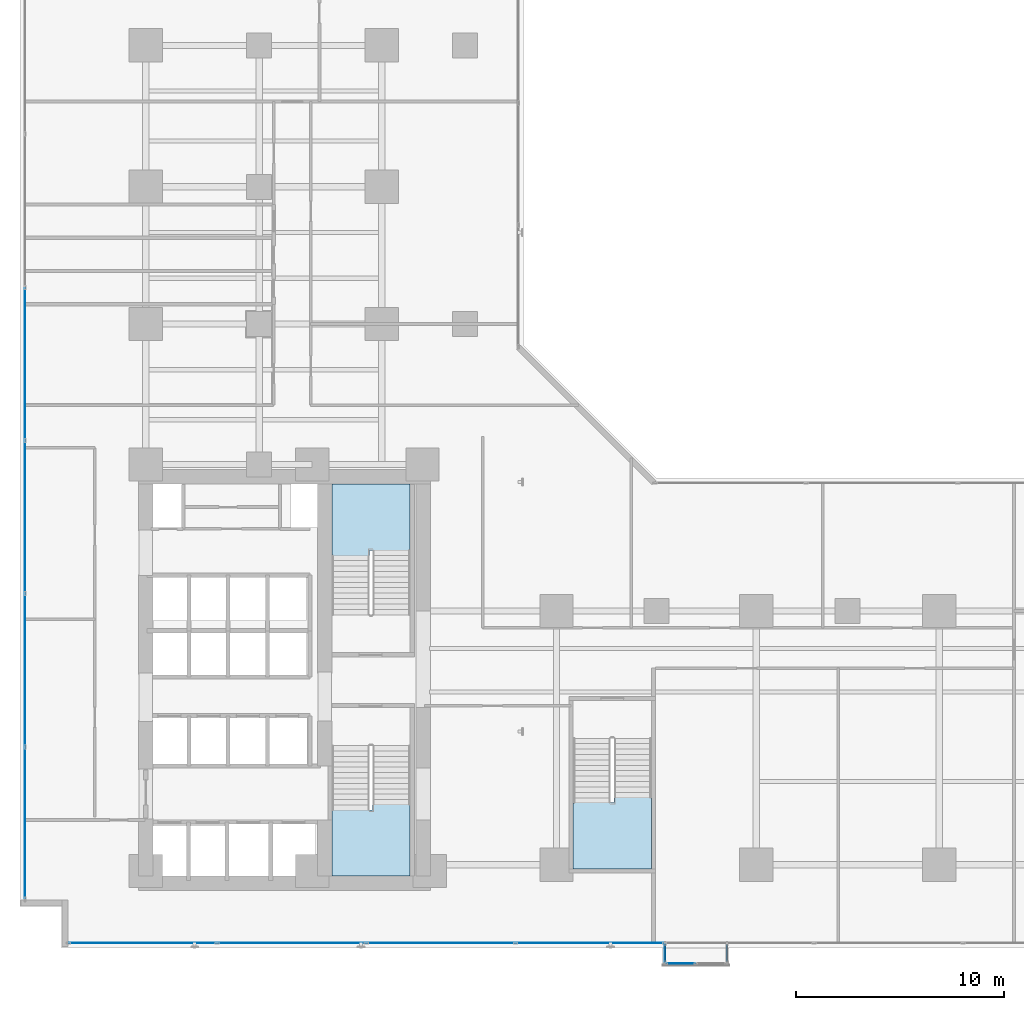
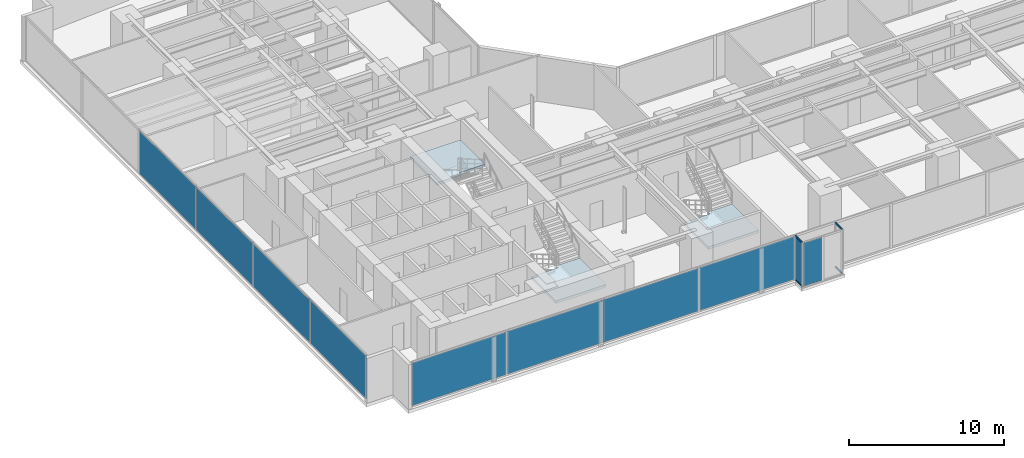
# One storey, part 20 of 30: 10 plates, 4 members, 3 slabs, 8 elements without a shape of their own.
"""IFC4 building model written with IfcOpenShell, lengths in metres."""

from ifc_helpers import new_model, si_unit, direction, frame, origin, origin_with_axes, origin_2d, place, context, subcontext, project, spatial, polyline, rectangle, hollow_rectangle, outline, extrude, source, transform, mapped, material, layer, layer_set, material_profile, profile_set, type_object, element, aggregate, save


model = new_model("IFC4")

# Units and contexts
model_context = context("Model", 3, precision=1e-05, world=origin(), true_north=direction((0.0, 1.0)))
body_context = subcontext(model_context, "Body", "Model", "MODEL_VIEW")
ifc_project = project(units=[si_unit("LENGTHUNIT", "METRE"), si_unit("AREAUNIT", "SQUARE_METRE"), si_unit("VOLUMEUNIT", "CUBIC_METRE"), si_unit("PLANEANGLEUNIT", "RADIAN"), si_unit("MASSUNIT", "GRAM", prefix="KILO")], contexts=[model_context])

# Site, building, storey
site_placement = place(None, origin())
site = spatial("IfcSite", under=ifc_project, at=site_placement, CompositionType="ELEMENT")
building_placement = place(site_placement, origin())
building = spatial("IfcBuilding", under=site, at=building_placement, Name="Kolvaren Waterfront Exchange", CompositionType="ELEMENT")
storey_placement = place(building_placement, frame((0.0, 0.0, 52.39990234375)))
storey = spatial("IfcBuildingStorey", under=building, at=storey_placement, Name="L13", CompositionType="ELEMENT", Elevation=52.39990234375)

# Curtain wall, members
ifc_material_1 = material(Name="Anodised bronze aluminium 6063-T6", Category="aluminium")
ifc_layer_1 = layer(ifc_material_1, 0.219970703125, Name="Anodised bronze aluminium 6063-T6")
ifc_layer_set_1 = layer_set([ifc_layer_1], Name="Anodised bronze aluminium 6063-T6")
curtain_wall_type_1 = type_object("IfcCurtainWallType", Name="ARC-CW-SYS3", PredefinedType="USERDEFINED", material=ifc_layer_set_1)
curtain_wall_1_placement = place(storey_placement, origin())
curtain_wall_1 = element("IfcCurtainWall", 1, at=curtain_wall_1_placement, inside=storey, type_object=curtain_wall_type_1, Name="L13 stick curtain wall CW3 (CW-L13-BOX-W)", ObjectType="STICK CURTAIN WALL", PredefinedType="USERDEFINED")
ifc_material_profile = material_profile(ifc_material_1, hollow_rectangle(XDim=0.06494140625, YDim=0.1298828125, WallThickness=0.00390625, at=origin_2d()), Name="ALU-TRN-130x65x4")
ifc_profile_set = profile_set([ifc_material_profile], Name="Anodised bronze aluminium 6063-T6")
member_type = type_object("IfcMemberType", Name="ARC-CWT-130", PredefinedType="USERDEFINED", material=ifc_profile_set)
shared_shape_1 = source(origin_with_axes(), body_context, "Body", "SweptSolid", [
    extrude(hollow_rectangle(XDim=0.06494140625, YDim=0.1298828125, WallThickness=0.00390625, at=origin_2d()), origin(), (0.0, 0.0, 1.0), 0.830078125),
])
member_1_placement = place(storey_placement, frame((32.409912109375, 1.364990234375, 0.03271484375), z_axis=(0.0, -1.0, 0.0), x_axis=(1.0, 0.0, 0.0)))
member_1 = element("IfcMember", 2, at=member_1_placement, type_object=member_type, Name="CW3 transom 1.1", ObjectType="TRANSOM", PredefinedType="USERDEFINED", context=body_context, shape_type="MappedRepresentation", body=[
    mapped(shared_shape_1, transform((0.0, 0.0, 0.0), x_axis=(1.0, 0.0, 0.0), y_axis=(0.0, 1.0, 0.0), z_axis=(0.0, 0.0, 1.0), scale=1.0)),
])
member_2_placement = place(storey_placement, frame((32.409912109375, 1.364990234375, 3.507568359375), z_axis=(0.0, -1.0, 0.0), x_axis=(1.0, 0.0, 0.0)))
member_2 = element("IfcMember", 3, at=member_2_placement, type_object=member_type, Name="CW3 transom 1.2", ObjectType="TRANSOM", PredefinedType="USERDEFINED", context=body_context, shape_type="MappedRepresentation", body=[
    mapped(shared_shape_1, transform((0.0, 0.0, 0.0), x_axis=(1.0, 0.0, 0.0), y_axis=(0.0, 1.0, 0.0), z_axis=(0.0, 0.0, 1.0), scale=1.0)),
])

curtain_wall_2_placement = place(storey_placement, origin())
curtain_wall_2 = element("IfcCurtainWall", 4, at=curtain_wall_2_placement, inside=storey, type_object=curtain_wall_type_1, Name="L13 stick curtain wall CW3 (CW-L13-BOX-E)", ObjectType="STICK CURTAIN WALL", PredefinedType="USERDEFINED")
member_3_placement = place(storey_placement, frame((35.389892578125, 0.534912109375, 0.03271484375), z_axis=(0.0, 1.0, 0.0), x_axis=(-1.0, 0.0, 0.0)))
member_3 = element("IfcMember", 5, at=member_3_placement, type_object=member_type, Name="CW3 transom 1.1", ObjectType="TRANSOM", PredefinedType="USERDEFINED", context=body_context, shape_type="MappedRepresentation", body=[
    mapped(shared_shape_1, transform((0.0, 0.0, 0.0), x_axis=(1.0, 0.0, 0.0), y_axis=(0.0, 1.0, 0.0), z_axis=(0.0, 0.0, 1.0), scale=1.0)),
])
member_4_placement = place(storey_placement, frame((35.389892578125, 0.534912109375, 3.507568359375), z_axis=(0.0, 1.0, 0.0), x_axis=(-1.0, 0.0, 0.0)))
member_4 = element("IfcMember", 6, at=member_4_placement, type_object=member_type, Name="CW3 transom 1.2", ObjectType="TRANSOM", PredefinedType="USERDEFINED", context=body_context, shape_type="MappedRepresentation", body=[
    mapped(shared_shape_1, transform((0.0, 0.0, 0.0), x_axis=(1.0, 0.0, 0.0), y_axis=(0.0, 1.0, 0.0), z_axis=(0.0, 0.0, 1.0), scale=1.0)),
])
aggregate(curtain_wall_2, [member_3, member_4])

# Stair, slab
ifc_material_2 = material(Name="Concrete C40/50", Category="concrete")
stair_type = type_object("IfcStairType", Name="ARC-STAIR-3800", PredefinedType="HALF_TURN_STAIR", material=ifc_material_2)
stair_1_placement = place(storey_placement, origin())
stair_1 = element("IfcStair", 7, at=stair_1_placement, inside=storey, type_object=stair_type, Name="L13 Smoke-proof exit stair ST1", PredefinedType="HALF_TURN_STAIR")
ifc_layer_2 = layer(ifc_material_2, 0.199951171875, Name="Concrete C40/50")
ifc_layer_set_2 = layer_set([ifc_layer_2], Name="Concrete C40/50")
slab_type = type_object("IfcSlabType", Name="STR-LANDING-200", PredefinedType="LANDING", material=ifc_layer_set_2)
slab_1_placement = place(storey_placement, frame((0.0, 0.0, 1.776123046875)))
slab_1 = element("IfcSlab", 8, at=slab_1_placement, type_object=slab_type, Name="ST1 landing 1", PredefinedType="LANDING", context=body_context, shape_type="SweptSolid", body=[
    extrude(outline(polyline([(16.39990234375, 7.840087890625), (16.39990234375, 4.64990234375), (20.159912109375, 4.64990234375), (20.159912109375, 8.10009765625), (18.360107421875, 8.10009765625), (18.360107421875, 7.840087890625), (16.39990234375, 7.840087890625)])), origin(), (0.0, 0.0, 1.0), 0.199951171875),
])
aggregate(stair_1, [slab_1])

stair_2_placement = place(storey_placement, origin())
stair_2 = element("IfcStair", 9, at=stair_2_placement, inside=storey, type_object=stair_type, Name="L13 Smoke-proof exit stair ST2", PredefinedType="HALF_TURN_STAIR")
slab_2_placement = place(storey_placement, frame((0.0, 0.0, 1.776123046875)))
slab_2 = element("IfcSlab", 10, at=slab_2_placement, type_object=slab_type, Name="ST2 landing 1", PredefinedType="LANDING", context=body_context, shape_type="SweptSolid", body=[
    extrude(outline(polyline([(20.159912109375, 20.31005859375), (20.159912109375, 23.5), (16.39990234375, 23.5), (16.39990234375, 20.050048828125), (18.199951171875, 20.050048828125), (18.199951171875, 20.31005859375), (20.159912109375, 20.31005859375)])), origin(), (0.0, 0.0, 1.0), 0.199951171875),
])
aggregate(stair_2, [slab_2])

stair_3_placement = place(storey_placement, origin())
stair_3 = element("IfcStair", 11, at=stair_3_placement, inside=storey, type_object=stair_type, Name="L13 Exit stair ST3", PredefinedType="HALF_TURN_STAIR")
slab_3_placement = place(storey_placement, frame((0.0, 0.0, 1.776123046875)))
slab_3 = element("IfcSlab", 12, at=slab_3_placement, type_object=slab_type, Name="ST3 landing 1", PredefinedType="LANDING", context=body_context, shape_type="SweptSolid", body=[
    extrude(outline(polyline([(28.0, 8.18994140625), (28.0, 5.0), (31.760009765625, 5.0), (31.760009765625, 8.449951171875), (29.9599609375, 8.449951171875), (29.9599609375, 8.18994140625), (28.0, 8.18994140625)])), origin(), (0.0, 0.0, 1.0), 0.199951171875),
])
aggregate(stair_3, [slab_3])

# Curtain wall, plates
ifc_layer_3 = layer(ifc_material_1, 0.219970703125, Name="Anodised bronze aluminium 6063-T6")
ifc_layer_set_3 = layer_set([ifc_layer_3], Name="Anodised bronze aluminium 6063-T6")
curtain_wall_type_2 = type_object("IfcCurtainWallType", Name="ARC-CW-SYS1", PredefinedType="USERDEFINED", material=ifc_layer_set_3)
curtain_wall_3_placement = place(storey_placement, origin())
curtain_wall_3 = element("IfcCurtainWall", 13, at=curtain_wall_3_placement, inside=storey, type_object=curtain_wall_type_2, Name="L13 stick curtain wall CW1 (CW-L13-S)", ObjectType="STICK CURTAIN WALL", PredefinedType="USERDEFINED")
ifc_material_3 = material(Name="Bronze solar control vision glass", Category="aluminium")
ifc_layer_4 = layer(ifc_material_3, 0.028076171875, Name="Bronze solar control vision glass")
ifc_layer_set_4 = layer_set([ifc_layer_4], Name="Bronze solar control vision glass")
plate_type_1 = type_object("IfcPlateType", Name="ARC-CWP-28", PredefinedType="CURTAIN_PANEL", material=ifc_layer_set_4)
shared_shape_2 = source(origin_with_axes(), body_context, "Body", "SweptSolid", [
    extrude(rectangle(XDim=7.054931640625, YDim=0.028076171875, at=origin_2d()), origin(), (0.0, 0.0, 1.0), 3.389892578125),
])
plate_1_placement = place(storey_placement, frame((7.3076171875, 1.43994140625, 0.0751953125), z_axis=(0.0, 0.0, 1.0), x_axis=(1.0, 0.0, 0.0)))
plate_1 = element("IfcPlate", 14, at=plate_1_placement, type_object=plate_type_1, Name="CW1 panel 1.1", PredefinedType="CURTAIN_PANEL", context=body_context, shape_type="MappedRepresentation", body=[
    mapped(shared_shape_2, transform((0.0, 0.0, 0.0), x_axis=(1.0, 0.0, 0.0), y_axis=(0.0, 1.0, 0.0), z_axis=(0.0, 0.0, 1.0), scale=1.0)),
])
shared_shape_3 = source(origin_with_axes(), body_context, "Body", "SweptSolid", [
    extrude(rectangle(XDim=7.094970703125, YDim=0.028076171875, at=origin_2d()), origin(), (0.0, 0.0, 1.0), 3.389892578125),
])
plate_2_placement = place(storey_placement, frame((14.46240234375, 1.43994140625, 0.0751953125), z_axis=(0.0, 0.0, 1.0), x_axis=(1.0, 0.0, 0.0)))
plate_2 = element("IfcPlate", 15, at=plate_2_placement, type_object=plate_type_1, Name="CW1 panel 2.1", PredefinedType="CURTAIN_PANEL", context=body_context, shape_type="MappedRepresentation", body=[
    mapped(shared_shape_3, transform((0.0, 0.0, 0.0), x_axis=(1.0, 0.0, 0.0), y_axis=(0.0, 1.0, 0.0), z_axis=(0.0, 0.0, 1.0), scale=1.0)),
])
plate_3_placement = place(storey_placement, frame((21.637451171875, 1.43994140625, 0.0751953125), z_axis=(0.0, 0.0, 1.0), x_axis=(1.0, 0.0, 0.0)))
plate_3 = element("IfcPlate", 16, at=plate_3_placement, type_object=plate_type_1, Name="CW1 panel 3.1", PredefinedType="CURTAIN_PANEL", context=body_context, shape_type="MappedRepresentation", body=[
    mapped(shared_shape_3, transform((0.0, 0.0, 0.0), x_axis=(1.0, 0.0, 0.0), y_axis=(0.0, 1.0, 0.0), z_axis=(0.0, 0.0, 1.0), scale=1.0)),
])
plate_4_placement = place(storey_placement, frame((28.8125, 1.43994140625, 0.0751953125), z_axis=(0.0, 0.0, 1.0), x_axis=(1.0, 0.0, 0.0)))
plate_4 = element("IfcPlate", 17, at=plate_4_placement, type_object=plate_type_1, Name="CW1 panel 4.1", PredefinedType="CURTAIN_PANEL", context=body_context, shape_type="MappedRepresentation", body=[
    mapped(shared_shape_3, transform((0.0, 0.0, 0.0), x_axis=(1.0, 0.0, 0.0), y_axis=(0.0, 1.0, 0.0), z_axis=(0.0, 0.0, 1.0), scale=1.0)),
])
aggregate(curtain_wall_3, [plate_1, plate_2, plate_3, plate_4])

ifc_material_4 = material(Name="Anodised aluminium 6063-T6", Category="aluminium")
ifc_layer_5 = layer(ifc_material_4, 0.219970703125, Name="Anodised aluminium 6063-T6")
ifc_layer_set_5 = layer_set([ifc_layer_5], Name="Anodised aluminium 6063-T6")
curtain_wall_type_3 = type_object("IfcCurtainWallType", Name="ARC-CW-SYS2", PredefinedType="USERDEFINED", material=ifc_layer_set_5)
curtain_wall_4_placement = place(storey_placement, origin())
curtain_wall_4 = element("IfcCurtainWall", 18, at=curtain_wall_4_placement, inside=storey, type_object=curtain_wall_type_3, Name="L13 stick curtain wall CW2 (CW-L13-W)", ObjectType="STICK CURTAIN WALL", PredefinedType="USERDEFINED")
ifc_material_5 = material(Name="Acoustic laminated vision glass", Category="glass")
ifc_layer_6 = layer(ifc_material_5, 0.031982421875, Name="Acoustic laminated vision glass")
ifc_layer_set_6 = layer_set([ifc_layer_6], Name="Acoustic laminated vision glass")
plate_type_2 = type_object("IfcPlateType", Name="ARC-CWP-32", PredefinedType="CURTAIN_PANEL", material=ifc_layer_set_6)
shared_shape_4 = source(origin_with_axes(), body_context, "Body", "SweptSolid", [
    extrude(rectangle(XDim=7.24658203125, YDim=0.031982421875, at=origin_2d()), origin(), (0.0, 0.0, 1.0), 3.389892578125),
])
plate_5_placement = place(storey_placement, frame((1.639892578125, 7.203369140625, 0.0751953125), z_axis=(0.0, 0.0, 1.0), x_axis=(0.0, 1.0, 0.0)))
plate_5 = element("IfcPlate", 19, at=plate_5_placement, type_object=plate_type_2, Name="CW2 panel 1.1", PredefinedType="CURTAIN_PANEL", context=body_context, shape_type="MappedRepresentation", body=[
    mapped(shared_shape_4, transform((0.0, 0.0, 0.0), x_axis=(1.0, 0.0, 0.0), y_axis=(0.0, 1.0, 0.0), z_axis=(0.0, 0.0, 1.0), scale=1.0)),
])
shared_shape_5 = source(origin_with_axes(), body_context, "Body", "SweptSolid", [
    extrude(rectangle(XDim=7.28662109375, YDim=0.031982421875, at=origin_2d()), origin(), (0.0, 0.0, 1.0), 3.389892578125),
])
plate_6_placement = place(storey_placement, frame((1.639892578125, 14.550048828125, 0.0751953125), z_axis=(0.0, 0.0, 1.0), x_axis=(0.0, 1.0, 0.0)))
plate_6 = element("IfcPlate", 20, at=plate_6_placement, type_object=plate_type_2, Name="CW2 panel 2.1", PredefinedType="CURTAIN_PANEL", context=body_context, shape_type="MappedRepresentation", body=[
    mapped(shared_shape_5, transform((0.0, 0.0, 0.0), x_axis=(1.0, 0.0, 0.0), y_axis=(0.0, 1.0, 0.0), z_axis=(0.0, 0.0, 1.0), scale=1.0)),
])
plate_7_placement = place(storey_placement, frame((1.639892578125, 21.916748046875, 0.0751953125), z_axis=(0.0, 0.0, 1.0), x_axis=(0.0, 1.0, 0.0)))
plate_7 = element("IfcPlate", 21, at=plate_7_placement, type_object=plate_type_2, Name="CW2 panel 3.1", PredefinedType="CURTAIN_PANEL", context=body_context, shape_type="MappedRepresentation", body=[
    mapped(shared_shape_5, transform((0.0, 0.0, 0.0), x_axis=(1.0, 0.0, 0.0), y_axis=(0.0, 1.0, 0.0), z_axis=(0.0, 0.0, 1.0), scale=1.0)),
])
plate_8_placement = place(storey_placement, frame((1.639892578125, 29.283447265625, 0.0751953125), z_axis=(0.0, 0.0, 1.0), x_axis=(0.0, 1.0, 0.0)))
plate_8 = element("IfcPlate", 22, at=plate_8_placement, type_object=plate_type_2, Name="CW2 panel 4.1", PredefinedType="CURTAIN_PANEL", context=body_context, shape_type="MappedRepresentation", body=[
    mapped(shared_shape_5, transform((0.0, 0.0, 0.0), x_axis=(1.0, 0.0, 0.0), y_axis=(0.0, 1.0, 0.0), z_axis=(0.0, 0.0, 1.0), scale=1.0)),
])
aggregate(curtain_wall_4, [plate_5, plate_6, plate_7, plate_8])

# Plate
ifc_material_6 = material(Name="Bronze tinted bay-box vision glass", Category="aluminium")
ifc_layer_7 = layer(ifc_material_6, 0.02392578125, Name="Bronze tinted bay-box vision glass")
ifc_layer_set_7 = layer_set([ifc_layer_7], Name="Bronze tinted bay-box vision glass")
plate_type_3 = type_object("IfcPlateType", Name="ARC-CWP-24", PredefinedType="CURTAIN_PANEL", material=ifc_layer_set_7)
shared_shape_6 = source(origin_with_axes(), body_context, "Body", "SweptSolid", [
    extrude(rectangle(XDim=0.830078125, YDim=0.02392578125, at=origin_2d()), origin(), (0.0, 0.0, 1.0), 3.409912109375),
])
plate_9_placement = place(storey_placement, frame((32.409912109375, 0.949951171875, 0.06494140625), z_axis=(0.0, 0.0, 1.0), x_axis=(0.0, -1.0, 0.0)))
plate_9 = element("IfcPlate", 23, at=plate_9_placement, type_object=plate_type_3, Name="CW3 panel 1.1", PredefinedType="CURTAIN_PANEL", context=body_context, shape_type="MappedRepresentation", body=[
    mapped(shared_shape_6, transform((0.0, 0.0, 0.0), x_axis=(1.0, 0.0, 0.0), y_axis=(0.0, 1.0, 0.0), z_axis=(0.0, 0.0, 1.0), scale=1.0)),
])

aggregate(curtain_wall_1, [member_1, member_2, plate_9])

# Curtain wall, plate
curtain_wall_5_placement = place(storey_placement, origin())
curtain_wall_5 = element("IfcCurtainWall", 24, at=curtain_wall_5_placement, inside=storey, type_object=curtain_wall_type_1, Name="L13 stick curtain wall CW3 (CW-L13-BOX)", ObjectType="STICK CURTAIN WALL", PredefinedType="USERDEFINED")
shared_shape_7 = source(origin_with_axes(), body_context, "Body", "SweptSolid", [
    extrude(rectangle(XDim=1.37744140625, YDim=0.02392578125, at=origin_2d()), origin(), (0.0, 0.0, 1.0), 3.409912109375),
])
plate_10_placement = place(storey_placement, frame((33.173828125, 0.4599609375, 0.06494140625), z_axis=(0.0, 0.0, 1.0), x_axis=(1.0, 0.0, 0.0)))
plate_10 = element("IfcPlate", 25, at=plate_10_placement, type_object=plate_type_3, Name="CW3 panel 1.1", PredefinedType="CURTAIN_PANEL", context=body_context, shape_type="MappedRepresentation", body=[
    mapped(shared_shape_7, transform((0.0, 0.0, 0.0), x_axis=(1.0, 0.0, 0.0), y_axis=(0.0, 1.0, 0.0), z_axis=(0.0, 0.0, 1.0), scale=1.0)),
])
aggregate(curtain_wall_5, [plate_10])

save(model, "model.ifc")
